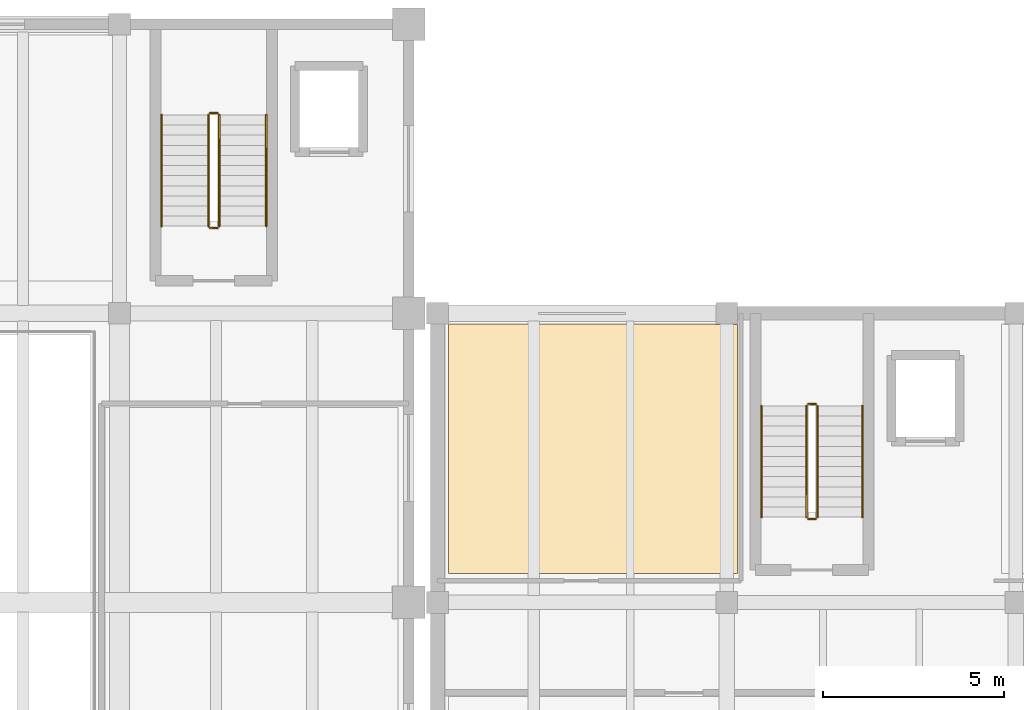
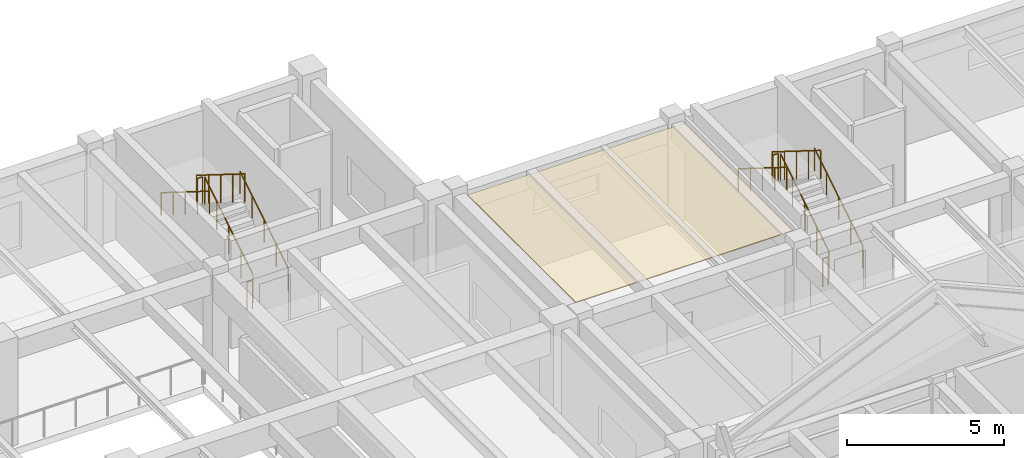
# One storey, part 59 of 67: 12 railings, 1 covering.
"""IFC4 building model written with IfcOpenShell, lengths in metres."""

from ifc_helpers import new_model, si_unit, direction, frame, origin, origin_2d, place, context, subcontext, project, spatial, polyline, circle, outline, extrude, material, layer, layer_set, type_object, element, save


model = new_model("IFC4")

# Units and contexts
model_context = context("Model", 3, precision=1e-05, world=origin(), true_north=direction((0.0, 1.0)))
body_context = subcontext(model_context, "Body", "Model", "MODEL_VIEW")
ifc_project = project(units=[si_unit("LENGTHUNIT", "METRE"), si_unit("AREAUNIT", "SQUARE_METRE"), si_unit("VOLUMEUNIT", "CUBIC_METRE"), si_unit("PLANEANGLEUNIT", "RADIAN"), si_unit("MASSUNIT", "GRAM", prefix="KILO")], contexts=[model_context])

# Site, building, storey
site_placement = place(None, origin())
site = spatial("IfcSite", under=ifc_project, at=site_placement, CompositionType="ELEMENT")
building_placement = place(site_placement, origin())
building = spatial("IfcBuilding", under=site, at=building_placement, Name="Tlaxcora Railside Police Headquarters", CompositionType="ELEMENT")
storey_placement = place(building_placement, frame((0.0, 0.0, 4.800048828125)))
storey = spatial("IfcBuildingStorey", under=building, at=storey_placement, Name="L01", CompositionType="ELEMENT", Elevation=4.800048828125)

# Covering
ifc_material_1 = material(Name="Mineral-fibre acoustic ceiling tile")
ifc_layer = layer(ifc_material_1, 0.034912109375, Name="Mineral-fibre acoustic ceiling tile")
ifc_layer_set = layer_set([ifc_layer], Name="Mineral-fibre acoustic ceiling tile")
covering_type = type_object("IfcCoveringType", Name="Acoustic Suspended Ceiling CLG-01", PredefinedType="CEILING", material=ifc_layer_set)
covering_placement = place(storey_placement, frame((0.0, 0.0, 3.764892578125)))
element("IfcCovering", 1, at=covering_placement, inside=storey, type_object=covering_type, Name="Accessible WC and Custody Staff Restrooms L01 suspended ceiling", PredefinedType="CEILING", context=body_context, shape_type="SweptSolid", body=[
    extrude(outline(polyline([(103.10009765625, 51.68994140625), (103.10009765625, 44.800048828125), (111.10009765625, 44.800048828125), (111.10009765625, 51.68994140625), (110.489990234375, 51.68994140625), (110.489990234375, 51.699951171875), (103.110107421875, 51.699951171875), (103.110107421875, 51.68994140625), (103.10009765625, 51.68994140625)])), origin(), (0.0, 0.0, 1.0), 0.03515625),
])

# Railings
ifc_material_2 = material(Name="Steel ASTM A992 Grade 50", Category="steel")
railing_type_1 = type_object("IfcRailingType", Name="Stair Well Guard Balustrade GR-02", PredefinedType="BALUSTRADE", material=ifc_material_2)
railing_1_placement = place(storey_placement, frame((96.760009765625, 54.409912109375, 0.175048828125)))
element("IfcRailing", 2, at=railing_1_placement, inside=storey, type_object=railing_type_1, Name="L01 ST9 stair guard 1", PredefinedType="BALUSTRADE", context=body_context, shape_type="SweptSolid", body=[
    extrude(circle(Radius=0.02392578125, at=origin_2d()), frame((0.0, 0.0, 1.09619140625), z_axis=(0.0, 0.848028513186, 0.529950602248), x_axis=(-1.0, 0.0, 0.0)), (0.0, 0.0, 1.0), 3.632080078125),
    extrude(circle(Radius=0.02099609375, at=origin_2d()), origin(), (0.0, 0.0, 1.0), 1.072021484375),
    extrude(circle(Radius=0.02099609375, at=origin_2d()), frame((0.0, 0.77001953125, 0.481201171875)), (0.0, 0.0, 1.0), 1.072021484375),
    extrude(circle(Radius=0.02099609375, at=origin_2d()), frame((0.0, 1.5400390625, 0.96240234375)), (0.0, 0.0, 1.0), 1.072021484375),
    extrude(circle(Radius=0.02099609375, at=origin_2d()), frame((0.0, 2.31005859375, 1.443603515625)), (0.0, 0.0, 1.0), 1.072021484375),
    extrude(circle(Radius=0.02099609375, at=origin_2d()), frame((0.0, 3.080078125, 1.9248046875)), (0.0, 0.0, 1.0), 1.072021484375),
])
railing_2_placement = place(storey_placement, frame((96.7099609375, 57.5400390625, 2.099853515625)))
element("IfcRailing", 3, at=railing_2_placement, inside=storey, type_object=railing_type_1, Name="L01 ST9 stair guard 2", PredefinedType="BALUSTRADE", context=body_context, shape_type="SweptSolid", body=[
    extrude(circle(Radius=0.02392578125, at=origin_2d()), frame((0.0, 0.0, 1.09619140625), z_axis=(-1.0, 0.0, 0.0), x_axis=(0.0, -1.0, 0.0)), (0.0, 0.0, 1.0), 0.199951171875),
    extrude(circle(Radius=0.02099609375, at=origin_2d()), origin(), (0.0, 0.0, 1.0), 1.072021484375),
    extrude(circle(Radius=0.02099609375, at=origin_2d()), frame((-0.199951171875, 0.0, 0.0)), (0.0, 0.0, 1.0), 1.072021484375),
])
railing_3_placement = place(storey_placement, frame((96.4599609375, 57.489990234375, 2.27490234375)))
element("IfcRailing", 4, at=railing_3_placement, inside=storey, type_object=railing_type_1, Name="L01 ST9 stair guard 3", PredefinedType="BALUSTRADE", context=body_context, shape_type="SweptSolid", body=[
    extrude(circle(Radius=0.02392578125, at=origin_2d()), frame((0.0, 0.0, 1.09619140625), z_axis=(0.0, -0.847998304005, 0.529998940003), x_axis=(1.0, 0.0, 0.0)), (0.0, 0.0, 1.0), 3.632080078125),
    extrude(circle(Radius=0.02099609375, at=origin_2d()), origin(), (0.0, 0.0, 1.0), 1.072021484375),
    extrude(circle(Radius=0.02099609375, at=origin_2d()), frame((0.0, -0.77001953125, 0.481201171875)), (0.0, 0.0, 1.0), 1.072021484375),
    extrude(circle(Radius=0.02099609375, at=origin_2d()), frame((0.0, -1.5400390625, 0.96240234375)), (0.0, 0.0, 1.0), 1.072021484375),
    extrude(circle(Radius=0.02099609375, at=origin_2d()), frame((0.0, -2.31005859375, 1.44384765625)), (0.0, 0.0, 1.0), 1.072021484375),
    extrude(circle(Radius=0.02099609375, at=origin_2d()), frame((0.0, -3.080078125, 1.925048828125)), (0.0, 0.0, 1.0), 1.072021484375),
])
railing_4_placement = place(storey_placement, frame((96.7099609375, 54.360107421875, 0.0)))
element("IfcRailing", 5, at=railing_4_placement, inside=storey, type_object=railing_type_1, Name="L01 ST9 stair guard 4", PredefinedType="BALUSTRADE", context=body_context, shape_type="SweptSolid", body=[
    extrude(circle(Radius=0.02392578125, at=origin_2d()), frame((0.0, 0.0, 1.09619140625), z_axis=(-1.0, 0.0, 0.0), x_axis=(0.0, -1.0, 0.0)), (0.0, 0.0, 1.0), 0.199951171875),
    extrude(circle(Radius=0.02099609375, at=origin_2d()), origin(), (0.0, 0.0, 1.0), 1.072021484375),
    extrude(circle(Radius=0.02099609375, at=origin_2d()), frame((-0.199951171875, 0.0, 0.0)), (0.0, 0.0, 1.0), 1.072021484375),
])
railing_5_placement = place(storey_placement, frame((113.31005859375, 46.360107421875, 0.175048828125)))
element("IfcRailing", 6, at=railing_5_placement, inside=storey, type_object=railing_type_1, Name="L01 ST5 stair guard 1", PredefinedType="BALUSTRADE", context=body_context, shape_type="SweptSolid", body=[
    extrude(circle(Radius=0.02392578125, at=origin_2d()), frame((0.0, 0.0, 1.09619140625), z_axis=(0.0, 0.848009633417, 0.529980812513), x_axis=(-1.0, 0.0, 0.0)), (0.0, 0.0, 1.0), 3.6318359375),
    extrude(circle(Radius=0.02099609375, at=origin_2d()), origin(), (0.0, 0.0, 1.0), 1.072021484375),
    extrude(circle(Radius=0.02099609375, at=origin_2d()), frame((0.0, 0.77001953125, 0.481201171875)), (0.0, 0.0, 1.0), 1.072021484375),
    extrude(circle(Radius=0.02099609375, at=origin_2d()), frame((0.0, 1.5400390625, 0.96240234375)), (0.0, 0.0, 1.0), 1.072021484375),
    extrude(circle(Radius=0.02099609375, at=origin_2d()), frame((0.0, 2.309814453125, 1.443603515625)), (0.0, 0.0, 1.0), 1.072021484375),
    extrude(circle(Radius=0.02099609375, at=origin_2d()), frame((0.0, 3.079833984375, 1.9248046875)), (0.0, 0.0, 1.0), 1.072021484375),
])
railing_6_placement = place(storey_placement, frame((113.260009765625, 49.489990234375, 2.099853515625)))
element("IfcRailing", 7, at=railing_6_placement, inside=storey, type_object=railing_type_1, Name="L01 ST5 stair guard 2", PredefinedType="BALUSTRADE", context=body_context, shape_type="SweptSolid", body=[
    extrude(circle(Radius=0.02392578125, at=origin_2d()), frame((0.0, 0.0, 1.09619140625), z_axis=(-1.0, 0.0, 0.0), x_axis=(0.0, -1.0, 0.0)), (0.0, 0.0, 1.0), 0.199951171875),
    extrude(circle(Radius=0.02099609375, at=origin_2d()), origin(), (0.0, 0.0, 1.0), 1.072021484375),
    extrude(circle(Radius=0.02099609375, at=origin_2d()), frame((-0.199951171875, 0.0, 0.0)), (0.0, 0.0, 1.0), 1.072021484375),
])
railing_7_placement = place(storey_placement, frame((113.010009765625, 49.43994140625, 2.27490234375)))
element("IfcRailing", 8, at=railing_7_placement, inside=storey, type_object=railing_type_1, Name="L01 ST5 stair guard 3", PredefinedType="BALUSTRADE", context=body_context, shape_type="SweptSolid", body=[
    extrude(circle(Radius=0.02392578125, at=origin_2d()), frame((0.0, 0.0, 1.09619140625), z_axis=(0.0, -0.847979421464, 0.530029150871), x_axis=(1.0, 0.0, 0.0)), (0.0, 0.0, 1.0), 3.632080078125),
    extrude(circle(Radius=0.02099609375, at=origin_2d()), origin(), (0.0, 0.0, 1.0), 1.072021484375),
    extrude(circle(Radius=0.02099609375, at=origin_2d()), frame((0.0, -0.77001953125, 0.481201171875)), (0.0, 0.0, 1.0), 1.072021484375),
    extrude(circle(Radius=0.02099609375, at=origin_2d()), frame((0.0, -1.5400390625, 0.96240234375)), (0.0, 0.0, 1.0), 1.072021484375),
    extrude(circle(Radius=0.02099609375, at=origin_2d()), frame((0.0, -2.309814453125, 1.44384765625)), (0.0, 0.0, 1.0), 1.072021484375),
    extrude(circle(Radius=0.02099609375, at=origin_2d()), frame((0.0, -3.079833984375, 1.925048828125)), (0.0, 0.0, 1.0), 1.072021484375),
])
railing_8_placement = place(storey_placement, frame((113.260009765625, 46.31005859375, 0.0)))
element("IfcRailing", 9, at=railing_8_placement, inside=storey, type_object=railing_type_1, Name="L01 ST5 stair guard 4", PredefinedType="BALUSTRADE", context=body_context, shape_type="SweptSolid", body=[
    extrude(circle(Radius=0.02392578125, at=origin_2d()), frame((0.0, 0.0, 1.09619140625), z_axis=(-1.0, 0.0, 0.0), x_axis=(0.0, -1.0, 0.0)), (0.0, 0.0, 1.0), 0.199951171875),
    extrude(circle(Radius=0.02099609375, at=origin_2d()), origin(), (0.0, 0.0, 1.0), 1.072021484375),
    extrude(circle(Radius=0.02099609375, at=origin_2d()), frame((-0.199951171875, 0.0, 0.0)), (0.0, 0.0, 1.0), 1.072021484375),
])
railing_type_2 = type_object("IfcRailingType", Name="Stair and Ramp Handrail HR-01", PredefinedType="HANDRAIL", material=ifc_material_2)
railing_9_placement = place(storey_placement, frame((98.06005859375, 54.409912109375, 0.175048828125)))
element("IfcRailing", 10, at=railing_9_placement, inside=storey, type_object=railing_type_2, Name="L01 ST9 stair handrail 1", PredefinedType="HANDRAIL", context=body_context, shape_type="SweptSolid", body=[
    extrude(circle(Radius=0.02392578125, at=origin_2d()), frame((0.0, 0.0, 0.8759765625), z_axis=(0.0, 0.848028513186, 0.529950602248), x_axis=(-1.0, 0.0, 0.0)), (0.0, 0.0, 1.0), 3.632080078125),
    extrude(circle(Radius=0.02099609375, at=origin_2d()), origin(), (0.0, 0.0, 1.0), 0.851806640625),
    extrude(circle(Radius=0.02099609375, at=origin_2d()), frame((0.0, 0.77001953125, 0.481201171875)), (0.0, 0.0, 1.0), 0.851806640625),
    extrude(circle(Radius=0.02099609375, at=origin_2d()), frame((0.0, 1.5400390625, 0.96240234375)), (0.0, 0.0, 1.0), 0.851806640625),
    extrude(circle(Radius=0.02099609375, at=origin_2d()), frame((0.0, 2.31005859375, 1.443603515625)), (0.0, 0.0, 1.0), 0.851806640625),
    extrude(circle(Radius=0.02099609375, at=origin_2d()), frame((0.0, 3.080078125, 1.9248046875)), (0.0, 0.0, 1.0), 0.851806640625),
])
railing_10_placement = place(storey_placement, frame((95.159912109375, 57.489990234375, 2.27490234375)))
element("IfcRailing", 11, at=railing_10_placement, inside=storey, type_object=railing_type_2, Name="L01 ST9 stair handrail 2", PredefinedType="HANDRAIL", context=body_context, shape_type="SweptSolid", body=[
    extrude(circle(Radius=0.02392578125, at=origin_2d()), frame((0.0, 0.0, 0.8759765625), z_axis=(0.0, -0.847998304005, 0.529998940003), x_axis=(1.0, 0.0, 0.0)), (0.0, 0.0, 1.0), 3.632080078125),
    extrude(circle(Radius=0.02099609375, at=origin_2d()), origin(), (0.0, 0.0, 1.0), 0.851806640625),
    extrude(circle(Radius=0.02099609375, at=origin_2d()), frame((0.0, -0.77001953125, 0.481201171875)), (0.0, 0.0, 1.0), 0.851806640625),
    extrude(circle(Radius=0.02099609375, at=origin_2d()), frame((0.0, -1.5400390625, 0.96240234375)), (0.0, 0.0, 1.0), 0.851806640625),
    extrude(circle(Radius=0.02099609375, at=origin_2d()), frame((0.0, -2.31005859375, 1.44384765625)), (0.0, 0.0, 1.0), 0.851806640625),
    extrude(circle(Radius=0.02099609375, at=origin_2d()), frame((0.0, -3.080078125, 1.925048828125)), (0.0, 0.0, 1.0), 0.851806640625),
])
railing_11_placement = place(storey_placement, frame((114.56005859375, 46.360107421875, 0.175048828125)))
element("IfcRailing", 12, at=railing_11_placement, inside=storey, type_object=railing_type_2, Name="L01 ST5 stair handrail 1", PredefinedType="HANDRAIL", context=body_context, shape_type="SweptSolid", body=[
    extrude(circle(Radius=0.02392578125, at=origin_2d()), frame((0.0, 0.0, 0.8759765625), z_axis=(0.0, 0.848009633417, 0.529980812513), x_axis=(-1.0, 0.0, 0.0)), (0.0, 0.0, 1.0), 3.6318359375),
    extrude(circle(Radius=0.02099609375, at=origin_2d()), origin(), (0.0, 0.0, 1.0), 0.851806640625),
    extrude(circle(Radius=0.02099609375, at=origin_2d()), frame((0.0, 0.77001953125, 0.481201171875)), (0.0, 0.0, 1.0), 0.851806640625),
    extrude(circle(Radius=0.02099609375, at=origin_2d()), frame((0.0, 1.5400390625, 0.96240234375)), (0.0, 0.0, 1.0), 0.851806640625),
    extrude(circle(Radius=0.02099609375, at=origin_2d()), frame((0.0, 2.309814453125, 1.443603515625)), (0.0, 0.0, 1.0), 0.851806640625),
    extrude(circle(Radius=0.02099609375, at=origin_2d()), frame((0.0, 3.079833984375, 1.9248046875)), (0.0, 0.0, 1.0), 0.851806640625),
])
railing_12_placement = place(storey_placement, frame((111.760009765625, 49.43994140625, 2.27490234375)))
element("IfcRailing", 13, at=railing_12_placement, inside=storey, type_object=railing_type_2, Name="L01 ST5 stair handrail 2", PredefinedType="HANDRAIL", context=body_context, shape_type="SweptSolid", body=[
    extrude(circle(Radius=0.02392578125, at=origin_2d()), frame((0.0, 0.0, 0.8759765625), z_axis=(0.0, -0.847979421464, 0.530029150871), x_axis=(1.0, 0.0, 0.0)), (0.0, 0.0, 1.0), 3.632080078125),
    extrude(circle(Radius=0.02099609375, at=origin_2d()), origin(), (0.0, 0.0, 1.0), 0.851806640625),
    extrude(circle(Radius=0.02099609375, at=origin_2d()), frame((0.0, -0.77001953125, 0.481201171875)), (0.0, 0.0, 1.0), 0.851806640625),
    extrude(circle(Radius=0.02099609375, at=origin_2d()), frame((0.0, -1.5400390625, 0.96240234375)), (0.0, 0.0, 1.0), 0.851806640625),
    extrude(circle(Radius=0.02099609375, at=origin_2d()), frame((0.0, -2.309814453125, 1.44384765625)), (0.0, 0.0, 1.0), 0.851806640625),
    extrude(circle(Radius=0.02099609375, at=origin_2d()), frame((0.0, -3.079833984375, 1.925048828125)), (0.0, 0.0, 1.0), 0.851806640625),
])

save(model, "model.ifc")
